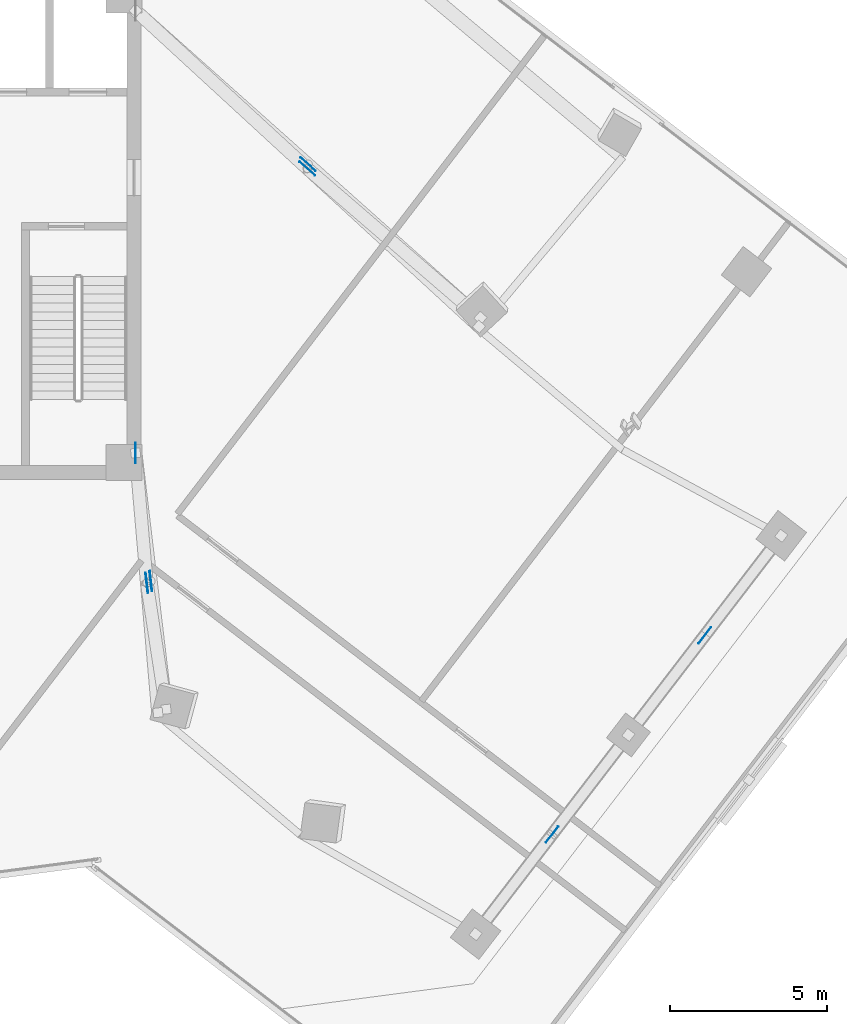
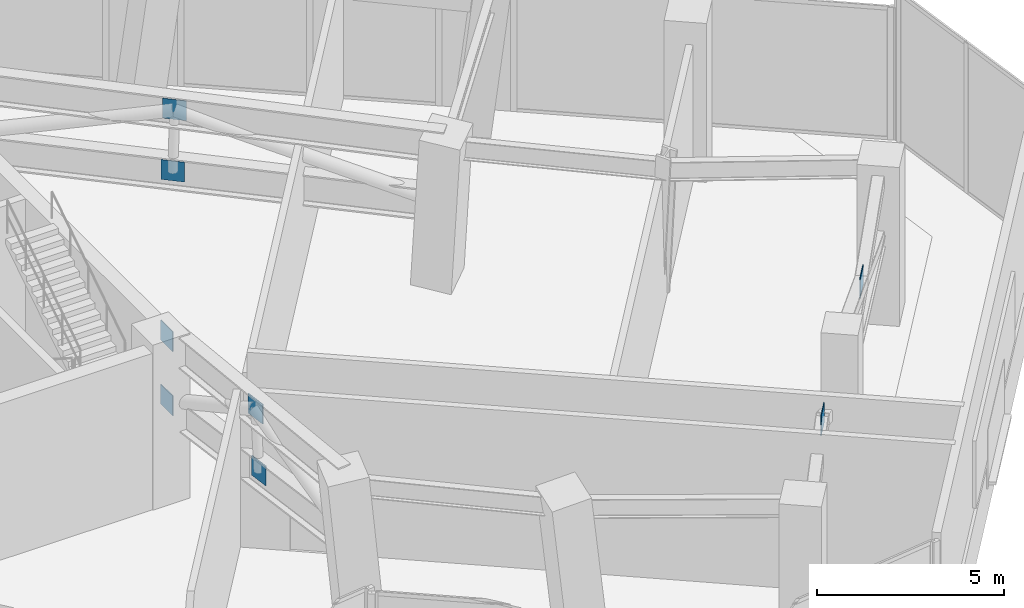
# One storey, part 17 of 22: 8 plates.
"""IFC4 building model written with IfcOpenShell, lengths in metres."""

from ifc_helpers import new_model, si_unit, direction, frame, origin, origin_2d, place, context, subcontext, project, spatial, rectangle, extrude, source, transform, mapped, material, layer, layer_set, type_object, element, save


model = new_model("IFC4")

# Units and contexts
model_context = context("Model", 3, precision=1e-05, world=origin(), true_north=direction((0.0, 1.0)))
body_context = subcontext(model_context, "Body", "Model", "MODEL_VIEW")
ifc_project = project(units=[si_unit("LENGTHUNIT", "METRE"), si_unit("AREAUNIT", "SQUARE_METRE"), si_unit("VOLUMEUNIT", "CUBIC_METRE"), si_unit("PLANEANGLEUNIT", "RADIAN"), si_unit("MASSUNIT", "GRAM", prefix="KILO")], contexts=[model_context])

# Site, building, storey
site_placement = place(None, origin())
site = spatial("IfcSite", under=ifc_project, at=site_placement, CompositionType="ELEMENT")
building_placement = place(site_placement, origin())
building = spatial("IfcBuilding", under=site, at=building_placement, Name="Torre Montelarca", CompositionType="ELEMENT")
storey_placement = place(building_placement, frame((0.0, 0.0, 209.800048828125)))
storey = spatial("IfcBuildingStorey", under=building, at=storey_placement, Name="L47", CompositionType="ELEMENT", Elevation=209.800048828125)

# Plates
ifc_material = material(Name="Steel ASTM A572 Grade 50", Category="steel")
ifc_layer_1 = layer(ifc_material, 0.02392578125, Name="Steel ASTM A572 Grade 50", Category="steel")
ifc_layer_set_1 = layer_set([ifc_layer_1], Name="Steel ASTM A572 Grade 50")
plate_type_1 = type_object("IfcPlateType", Name="PL-GUSSET-24", PredefinedType="SHEET", material=ifc_layer_set_1)
shared_shape_1 = source(origin(), body_context, "Body", "SweptSolid", [
    extrude(rectangle(XDim=0.64990234375, YDim=0.02392578125, at=origin_2d()), origin(), (0.0, 0.0, 1.0), 0.64990234375),
])
for number, where, z_axis, x_axis, name in (
    (1, (27.1767578125, 20.714599609375, 4.52490234375), (0.0, 0.0, 1.0), (-0.118403968307, 0.992965508107, 0.0), "L47 Outrigger Welded Node Plate 1-APX"),
    (2, (27.306640625, 20.76806640625, 2.425048828125), (0.0, 0.0, 1.0), (-0.118403968307, 0.992965508107, 0.0), "L47 Outrigger Welded Node Plate 1-BOT"),
    (3, (26.820068359375, 24.85009765625, 2.425048828125), (0.0, 0.0, 1.0), (0.0, 1.0, 0.0), "L47 Outrigger Core Wall Cast-In Embed Plate 1-CB"),
    (4, (26.820068359375, 24.85009765625, 4.52490234375), (0.0, 0.0, 1.0), (0.0, 1.0, 0.0), "L47 Outrigger Core Wall Cast-In Embed Plate 1-CT"),
    (5, (32.291259765625, 33.915283203125, 4.52490234375), (0.0, 0.0, 1.0), (-0.746638182285, 0.665230354654, 0.0), "L47 Outrigger Welded Node Plate 2-APX"),
    (6, (32.315185546875, 34.0537109375, 2.425048828125), (0.0, 0.0, 1.0), (-0.746638182285, 0.665230354654, 0.0), "L47 Outrigger Welded Node Plate 2-BOT"),
):
    element("IfcPlate", number, at=place(storey_placement, frame(where, z_axis=z_axis, x_axis=x_axis)), inside=storey, type_object=plate_type_1, Name=name, PredefinedType="SHEET", context=body_context, shape_type="MappedRepresentation", body=[
        mapped(shared_shape_1, transform((0.0, 0.0, 0.0), scale=1.0)),
    ])
ifc_layer_2 = layer(ifc_material, 0.02392578125, Name="Steel ASTM A572 Grade 50", Category="steel")
ifc_layer_set_2 = layer_set([ifc_layer_2], Name="Steel ASTM A572 Grade 50")
plate_type_2 = type_object("IfcPlateType", Name="PL-GUSSET-24-EXT", PredefinedType="SHEET", material=ifc_layer_set_2)
shared_shape_2 = source(origin(), body_context, "Body", "SweptSolid", [
    extrude(rectangle(XDim=0.64990234375, YDim=0.02392578125, at=origin_2d()), origin(), (0.0, 0.0, 1.0), 0.64990234375),
])
for number, where, z_axis, x_axis, name in (
    (7, (40.0888671875, 12.6943359375, 4.52490234375), (0.0, 0.0, 1.0), (0.608761429009, 0.793353340291, 0.0), "L47 Belt-Truss Node Gusset Plate 2"),
    (8, (44.958984375, 19.041259765625, 3.47509765625), (0.0, 0.0, 1.0), (0.608761429009, 0.793353340291, 0.0), "L47 Belt-Truss X-Brace Crossing Gusset Plate 3"),
):
    element("IfcPlate", number, at=place(storey_placement, frame(where, z_axis=z_axis, x_axis=x_axis)), inside=storey, type_object=plate_type_2, Name=name, PredefinedType="SHEET", context=body_context, shape_type="MappedRepresentation", body=[
        mapped(shared_shape_2, transform((0.0, 0.0, 0.0), scale=1.0)),
    ])

save(model, "model.ifc")
